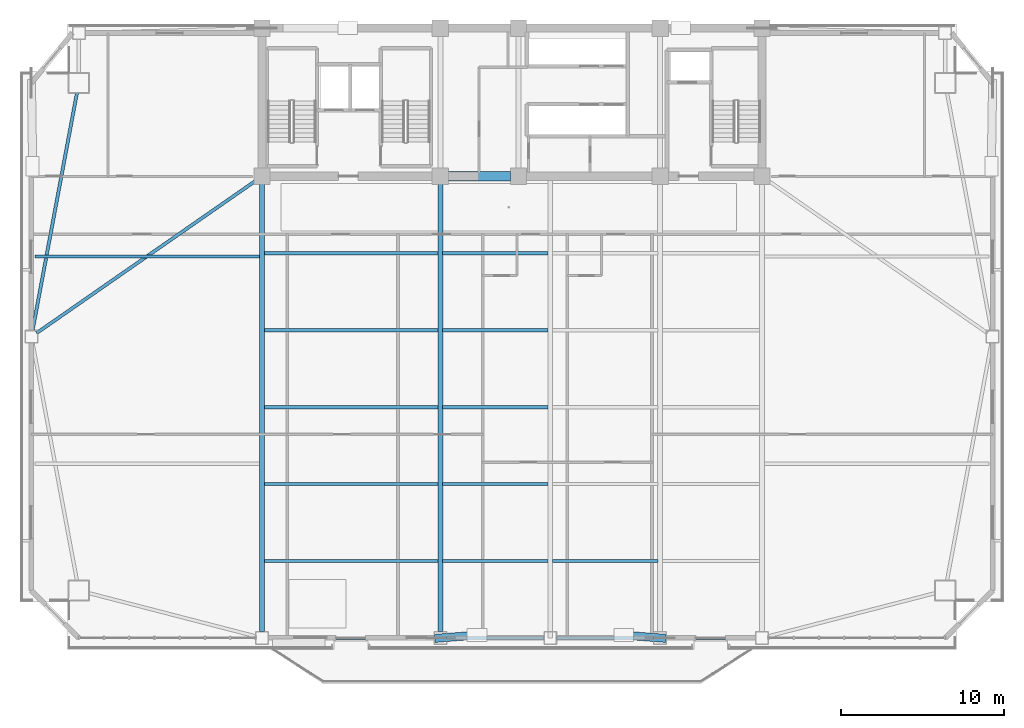
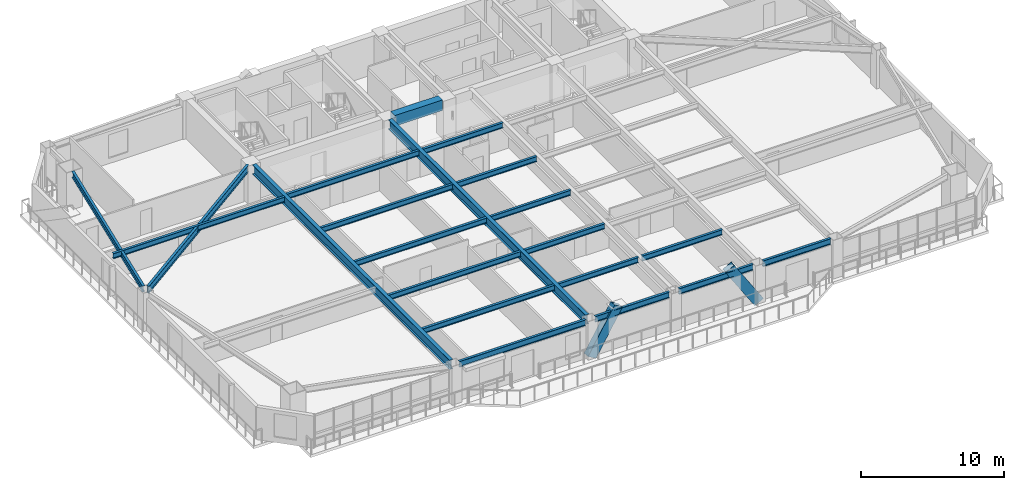
# One storey, part 3 of 16: 21 beams, 2 members.
"""IFC4 building model written with IfcOpenShell, lengths in metres."""

from ifc_helpers import new_model, si_unit, direction, frame, origin, origin_2d, place, context, subcontext, project, spatial, rectangle, hollow_rectangle, i_section, extrude, source, transform, mapped, material, material_profile, profile_set, type_object, element, save


model = new_model("IFC4")

# Units and contexts
model_context = context("Model", 3, precision=1e-05, world=origin(), true_north=direction((0.0, 1.0)))
body_context = subcontext(model_context, "Body", "Model", "MODEL_VIEW")
ifc_project = project(units=[si_unit("LENGTHUNIT", "METRE"), si_unit("AREAUNIT", "SQUARE_METRE"), si_unit("VOLUMEUNIT", "CUBIC_METRE"), si_unit("PLANEANGLEUNIT", "RADIAN"), si_unit("MASSUNIT", "GRAM", prefix="KILO")], contexts=[model_context])

# Site, building, storey
site_placement = place(None, origin())
site = spatial("IfcSite", under=ifc_project, at=site_placement, CompositionType="ELEMENT")
building_placement = place(site_placement, origin())
building = spatial("IfcBuilding", under=site, at=building_placement, Name="Giltprow Tower", CompositionType="ELEMENT")
storey_placement = place(building_placement, frame((0.0, 0.0, 159.699951171875)))
storey = spatial("IfcBuildingStorey", under=building, at=storey_placement, Name="L39", CompositionType="ELEMENT", Elevation=159.699951171875)

# Beams
ifc_material_1 = material(Name="Structural steel Q355B", Category="steel")
ifc_material_profile_1 = material_profile(ifc_material_1, i_section(OverallWidth=0.199951171875, OverallDepth=0.449951171875, WebThickness=0.009033203125, FlangeThickness=0.013916015625, at=origin_2d()), Name="HN 450x200x9x14")
ifc_profile_set_1 = profile_set([ifc_material_profile_1], Name="Structural steel Q355B")
beam_type_1 = type_object("IfcBeamType", Name="BM-JOIST-HN450", PredefinedType="JOIST", material=ifc_profile_set_1)
shared_shape_1 = source(origin(), body_context, "Body", "SweptSolid", [
    extrude(i_section(OverallWidth=0.199951171875, OverallDepth=0.449951171875, WebThickness=0.009033203125, FlangeThickness=0.013916015625, at=origin_2d()), origin(), (0.0, 0.0, 1.0), 10.659912109375),
])
for number, where, z_axis, x_axis, name in (
    (1, (19.9951171875, 13.822998046875, 3.045166015625), (1.0, 0.0, 0.0), (0.0, 1.0, 0.0), "L39 Composite Floor Joist 1-1"),
    (2, (19.9951171875, 18.549072265625, 3.045166015625), (1.0, 0.0, 0.0), (0.0, 1.0, 0.0), "L39 Composite Floor Joist 2-1"),
    (3, (19.9951171875, 23.27392578125, 3.045166015625), (1.0, 0.0, 0.0), (0.0, 1.0, 0.0), "L39 Composite Floor Joist 3-1"),
    (4, (19.9951171875, 27.9990234375, 3.045166015625), (1.0, 0.0, 0.0), (0.0, 1.0, 0.0), "L39 Composite Floor Joist 4-1"),
    (5, (19.9951171875, 32.72509765625, 3.045166015625), (1.0, 0.0, 0.0), (0.0, 1.0, 0.0), "L39 Composite Floor Joist 5-1"),
):
    element("IfcBeam", number, at=place(storey_placement, frame(where, z_axis=z_axis, x_axis=x_axis)), inside=storey, type_object=beam_type_1, Name=name, PredefinedType="JOIST", context=body_context, shape_type="MappedRepresentation", body=[
        mapped(shared_shape_1, transform((0.0, 0.0, 0.0), x_axis=(1.0, 0.0, 0.0), y_axis=(0.0, 1.0, 0.0), z_axis=(0.0, 0.0, 1.0), scale=1.0)),
    ])
shared_shape_2 = source(origin(), body_context, "Body", "SweptSolid", [
    extrude(i_section(OverallWidth=0.199951171875, OverallDepth=0.449951171875, WebThickness=0.009033203125, FlangeThickness=0.013916015625, at=origin_2d()), origin(), (0.0, 0.0, 1.0), 6.4599609375),
])
for number, where, z_axis, x_axis, name in (
    (6, (30.945068359375, 13.822998046875, 3.045166015625), (1.0, 0.0, 0.0), (0.0, 1.0, 0.0), "L39 Composite Floor Joist 1-2"),
    (7, (37.695068359375, 13.822998046875, 3.045166015625), (1.0, 0.0, 0.0), (0.0, 1.0, 0.0), "L39 Composite Floor Joist 1-3"),
    (8, (30.945068359375, 18.549072265625, 3.045166015625), (1.0, 0.0, 0.0), (0.0, 1.0, 0.0), "L39 Composite Floor Joist 2-2"),
    (9, (30.945068359375, 23.27392578125, 3.045166015625), (1.0, 0.0, 0.0), (0.0, 1.0, 0.0), "L39 Composite Floor Joist 3-2"),
    (10, (30.945068359375, 27.9990234375, 3.045166015625), (1.0, 0.0, 0.0), (0.0, 1.0, 0.0), "L39 Composite Floor Joist 4-2"),
    (11, (30.945068359375, 32.72509765625, 3.045166015625), (1.0, 0.0, 0.0), (0.0, 1.0, 0.0), "L39 Composite Floor Joist 5-2"),
):
    element("IfcBeam", number, at=place(storey_placement, frame(where, z_axis=z_axis, x_axis=x_axis)), inside=storey, type_object=beam_type_1, Name=name, PredefinedType="JOIST", context=body_context, shape_type="MappedRepresentation", body=[
        mapped(shared_shape_2, transform((0.0, 0.0, 0.0), x_axis=(1.0, 0.0, 0.0), y_axis=(0.0, 1.0, 0.0), z_axis=(0.0, 0.0, 1.0), scale=1.0)),
    ])
ifc_material_profile_2 = material_profile(ifc_material_1, i_section(OverallWidth=0.199951171875, OverallDepth=0.5, WebThickness=0.010009765625, FlangeThickness=0.01611328125, at=origin_2d()), Name="HN 500x200x10x16")
ifc_profile_set_2 = profile_set([ifc_material_profile_2], Name="Structural steel Q355B")
beam_type_2 = type_object("IfcBeamType", Name="BM-SPAN-HN500", PredefinedType="SPANDREL", material=ifc_profile_set_2)
shared_shape_3 = source(origin(), body_context, "Body", "SweptSolid", [
    extrude(i_section(OverallWidth=0.199951171875, OverallDepth=0.5, WebThickness=0.010009765625, FlangeThickness=0.01611328125, at=origin_2d()), origin(), (0.0, 0.0, 1.0), 10.179931640625),
])
beam_1_placement = place(storey_placement, frame((20.235107421875, 9.097900390625, 3.02001953125), z_axis=(1.0, 0.0, 0.0), x_axis=(0.0, 1.0, 0.0)))
element("IfcBeam", 12, at=beam_1_placement, inside=storey, type_object=beam_type_2, Name="L39 Perimeter Spandrel Beam S1-S2", PredefinedType="SPANDREL", context=body_context, shape_type="MappedRepresentation", body=[
    mapped(shared_shape_3, transform((0.0, 0.0, 0.0), x_axis=(1.0, 0.0, 0.0), y_axis=(0.0, 1.0, 0.0), z_axis=(0.0, 0.0, 1.0), scale=1.0)),
])
shared_shape_4 = source(origin(), body_context, "Body", "SweptSolid", [
    extrude(i_section(OverallWidth=0.199951171875, OverallDepth=0.5, WebThickness=0.010009765625, FlangeThickness=0.01611328125, at=origin_2d()), origin(), (0.0, 0.0, 1.0), 5.97998046875),
])
for number, where, z_axis, x_axis, name in (
    (13, (31.18505859375, 9.097900390625, 3.02001953125), (1.0, 0.0, 0.0), (0.0, 1.0, 0.0), "L39 Perimeter Spandrel Beam S2-S_MID"),
    (14, (37.93505859375, 9.097900390625, 3.02001953125), (1.0, 0.0, 0.0), (0.0, 1.0, 0.0), "L39 Perimeter Spandrel Beam S_MID-S3"),
):
    element("IfcBeam", number, at=place(storey_placement, frame(where, z_axis=z_axis, x_axis=x_axis)), inside=storey, type_object=beam_type_2, Name=name, PredefinedType="SPANDREL", context=body_context, shape_type="MappedRepresentation", body=[
        mapped(shared_shape_4, transform((0.0, 0.0, 0.0), x_axis=(1.0, 0.0, 0.0), y_axis=(0.0, 1.0, 0.0), z_axis=(0.0, 0.0, 1.0), scale=1.0)),
    ])
shared_shape_5 = source(origin(), body_context, "Body", "SweptSolid", [
    extrude(i_section(OverallWidth=0.199951171875, OverallDepth=0.5, WebThickness=0.010009765625, FlangeThickness=0.01611328125, at=origin_2d()), origin(), (0.0, 0.0, 1.0), 5.47998046875),
])
beam_2_placement = place(storey_placement, frame((44.68505859375, 9.097900390625, 3.02001953125), z_axis=(1.0, 0.0, 0.0), x_axis=(0.0, 1.0, 0.0)))
element("IfcBeam", 15, at=beam_2_placement, inside=storey, type_object=beam_type_2, Name="L39 Perimeter Spandrel Beam S3-S4", PredefinedType="SPANDREL", context=body_context, shape_type="MappedRepresentation", body=[
    mapped(shared_shape_5, transform((0.0, 0.0, 0.0), x_axis=(1.0, 0.0, 0.0), y_axis=(0.0, 1.0, 0.0), z_axis=(0.0, 0.0, 1.0), scale=1.0)),
])
ifc_material_2 = material(Name="Concrete C50", Category="concrete")
ifc_material_profile_3 = material_profile(ifc_material_2, rectangle(XDim=0.60009765625, YDim=0.89990234375, at=origin_2d()), Name="RC 900x600")
ifc_profile_set_3 = profile_set([ifc_material_profile_3], Name="Concrete C50")
beam_type_3 = type_object("IfcBeamType", Name="BM-CPL-RC900", PredefinedType="LINTEL", material=ifc_profile_set_3)
shared_shape_6 = source(origin(), body_context, "Body", "SweptSolid", [
    extrude(rectangle(XDim=0.60009765625, YDim=0.89990234375, at=origin_2d()), origin(), (0.0, 0.0, 1.0), 3.830078125),
])
beam_3_placement = place(storey_placement, frame((31.284912109375, 37.449951171875, 2.820068359375), z_axis=(1.0, 0.0, 0.0), x_axis=(0.0, 1.0, 0.0)))
element("IfcBeam", 16, at=beam_3_placement, inside=storey, type_object=beam_type_3, Name="L39 Core Coupling Beam CB-1", PredefinedType="LINTEL", context=body_context, shape_type="MappedRepresentation", body=[
    mapped(shared_shape_6, transform((0.0, 0.0, 0.0), x_axis=(1.0, 0.0, 0.0), y_axis=(0.0, 1.0, 0.0), z_axis=(0.0, 0.0, 1.0), scale=1.0)),
])
shared_shape_7 = source(origin(), body_context, "Body", "SweptSolid", [
    extrude(i_section(OverallWidth=0.199951171875, OverallDepth=0.5, WebThickness=0.010009765625, FlangeThickness=0.01611328125, at=origin_2d()), origin(), (0.0, 0.0, 1.0), 14.83837890625),
])
beam_4_placement = place(storey_placement, frame((8.47998046875, 42.56298828125, 3.02001953125), z_axis=(-0.183652712761, -0.982991190752, 0.0), x_axis=(0.982991190752, -0.183652712761, 0.0)))
element("IfcBeam", 17, at=beam_4_placement, inside=storey, type_object=beam_type_2, Name="L39 Perimeter Spandrel Beam MC_NW-W_MID", PredefinedType="SPANDREL", context=body_context, shape_type="MappedRepresentation", body=[
    mapped(shared_shape_7, transform((0.0, 0.0, 0.0), x_axis=(1.0, 0.0, 0.0), y_axis=(0.0, 1.0, 0.0), z_axis=(0.0, 0.0, 1.0), scale=1.0)),
])
ifc_material_profile_4 = material_profile(ifc_material_1, i_section(OverallWidth=0.300048828125, OverallDepth=0.800048828125, WebThickness=0.013916015625, FlangeThickness=0.02587890625, at=origin_2d()), Name="HN 800x300x14x26")
ifc_profile_set_4 = profile_set([ifc_material_profile_4], Name="Structural steel Q355B")
beam_type_4 = type_object("IfcBeamType", Name="BM-GIRD-HN800", PredefinedType="BEAM", material=ifc_profile_set_4)
shared_shape_8 = source(origin(), body_context, "Body", "SweptSolid", [
    extrude(i_section(OverallWidth=0.300048828125, OverallDepth=0.800048828125, WebThickness=0.013916015625, FlangeThickness=0.02587890625, at=origin_2d()), origin(), (0.0, 0.0, 1.0), 27.482177734375),
])
for number, where, z_axis, x_axis, name in (
    (18, (19.85009765625, 9.48291015625, 2.8701171875), (0.0, 1.0, 0.0), (-1.0, 0.0, 0.0), "L39 Primary Lease Girder S1"),
    (19, (30.800048828125, 9.48291015625, 2.8701171875), (0.0, 1.0, 0.0), (-1.0, 0.0, 0.0), "L39 Primary Lease Girder S2"),
):
    element("IfcBeam", number, at=place(storey_placement, frame(where, z_axis=z_axis, x_axis=x_axis)), inside=storey, type_object=beam_type_4, Name=name, PredefinedType="BEAM", context=body_context, shape_type="MappedRepresentation", body=[
        mapped(shared_shape_8, transform((0.0, 0.0, 0.0), x_axis=(1.0, 0.0, 0.0), y_axis=(0.0, 1.0, 0.0), z_axis=(0.0, 0.0, 1.0), scale=1.0)),
    ])
ifc_material_profile_5 = material_profile(ifc_material_1, i_section(OverallWidth=0.199951171875, OverallDepth=0.60009765625, WebThickness=0.010986328125, FlangeThickness=0.01708984375, at=origin_2d()), Name="HN 600x200x11x17")
ifc_profile_set_5 = profile_set([ifc_material_profile_5], Name="Structural steel Q355B")
beam_type_5 = type_object("IfcBeamType", Name="BM-GIRD-HN600", PredefinedType="BEAM", material=ifc_profile_set_5)
shared_shape_9 = source(origin(), body_context, "Body", "SweptSolid", [
    extrude(i_section(OverallWidth=0.199951171875, OverallDepth=0.60009765625, WebThickness=0.010986328125, FlangeThickness=0.01708984375, at=origin_2d()), origin(), (0.0, 0.0, 1.0), 16.384521484375),
])
beam_5_placement = place(storey_placement, frame((6.0, 27.819091796875, 2.969970703125), z_axis=(0.821015129257, 0.570906435005, 0.0), x_axis=(-0.570906435005, 0.821015129257, 0.0)))
element("IfcBeam", 20, at=beam_5_placement, inside=storey, type_object=beam_type_5, Name="L39 West Wing Primary Girder", PredefinedType="BEAM", context=body_context, shape_type="MappedRepresentation", body=[
    mapped(shared_shape_9, transform((0.0, 0.0, 0.0), x_axis=(1.0, 0.0, 0.0), y_axis=(0.0, 1.0, 0.0), z_axis=(0.0, 0.0, 1.0), scale=1.0)),
])
shared_shape_10 = source(origin(), body_context, "Body", "SweptSolid", [
    extrude(i_section(OverallWidth=0.199951171875, OverallDepth=0.449951171875, WebThickness=0.009033203125, FlangeThickness=0.013916015625, at=origin_2d()), origin(), (0.0, 0.0, 1.0), 13.801025390625),
])
beam_6_placement = place(storey_placement, frame((5.904052734375, 32.52490234375, 3.045166015625), z_axis=(1.0, 0.0, 0.0), x_axis=(0.0, 1.0, 0.0)))
element("IfcBeam", 21, at=beam_6_placement, inside=storey, type_object=beam_type_1, Name="L39 West Wing Floor Joist 2", PredefinedType="JOIST", context=body_context, shape_type="MappedRepresentation", body=[
    mapped(shared_shape_10, transform((0.0, 0.0, 0.0), x_axis=(1.0, 0.0, 0.0), y_axis=(0.0, 1.0, 0.0), z_axis=(0.0, 0.0, 1.0), scale=1.0)),
])

# Members
ifc_material_3 = material(Name="Structural steel Q420GJC", Category="steel")
ifc_material_profile_6 = material_profile(ifc_material_3, hollow_rectangle(XDim=0.5, YDim=0.800048828125, WallThickness=0.035888671875, at=origin_2d()), Name="RHS 800x500x36")
ifc_profile_set_6 = profile_set([ifc_material_profile_6], Name="Structural steel Q420GJC")
member_type = type_object("IfcMemberType", Name="MBR-MEGA-RHS800", PredefinedType="BRACE", material=ifc_profile_set_6)
shared_shape_11 = source(origin(), body_context, "Body", "SweptSolid", [
    extrude(hollow_rectangle(XDim=0.5, YDim=0.800048828125, WallThickness=0.035888671875, at=origin_2d()), origin(), (0.0, 0.0, 1.0), 4.16455078125),
])
for number, where, z_axis, x_axis, name in (
    (22, (30.800048828125, 9.097900390625, 0.0), (0.540274331149, 0.042267555638, 0.840426737343), (-0.077995186993, 0.996953735539, 0.0), "L39 Chevron Mega-Brace S-L"),
    (23, (44.300048828125, 9.097900390625, 0.0), (-0.540274331149, 0.042267555638, 0.840426737343), (-0.077995186993, -0.996953735539, 0.0), "L39 Chevron Mega-Brace S-R"),
):
    element("IfcMember", number, at=place(storey_placement, frame(where, z_axis=z_axis, x_axis=x_axis)), inside=storey, type_object=member_type, Name=name, PredefinedType="BRACE", context=body_context, shape_type="MappedRepresentation", body=[
        mapped(shared_shape_11, transform((0.0, 0.0, 0.0), x_axis=(1.0, 0.0, 0.0), y_axis=(0.0, 1.0, 0.0), z_axis=(0.0, 0.0, 1.0), scale=1.0)),
    ])

save(model, "model.ifc")
